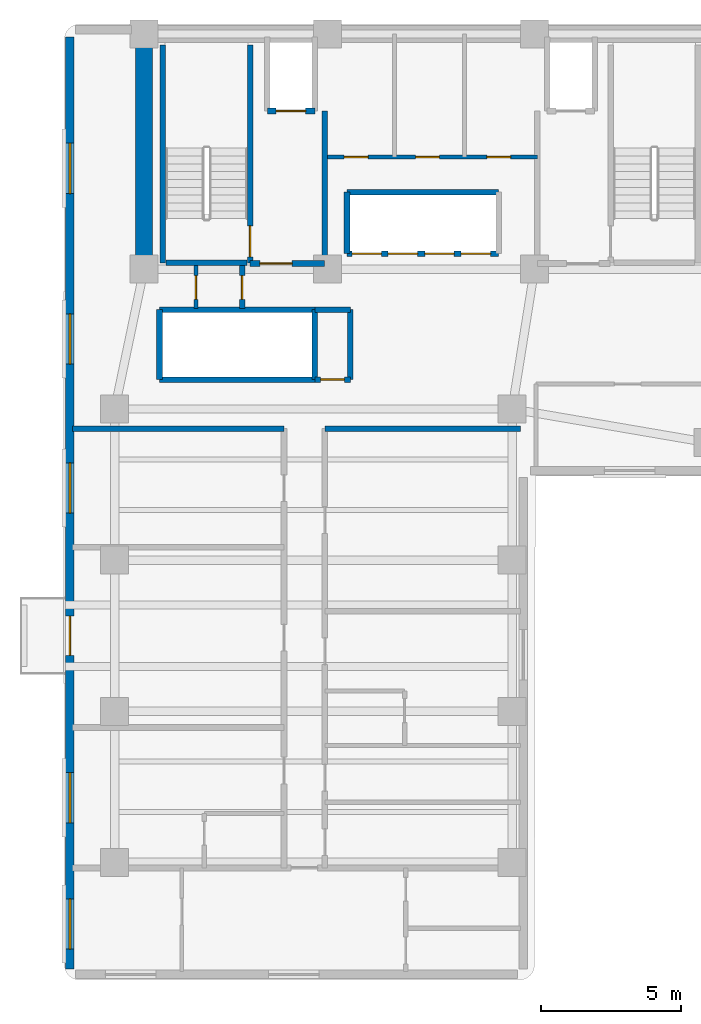
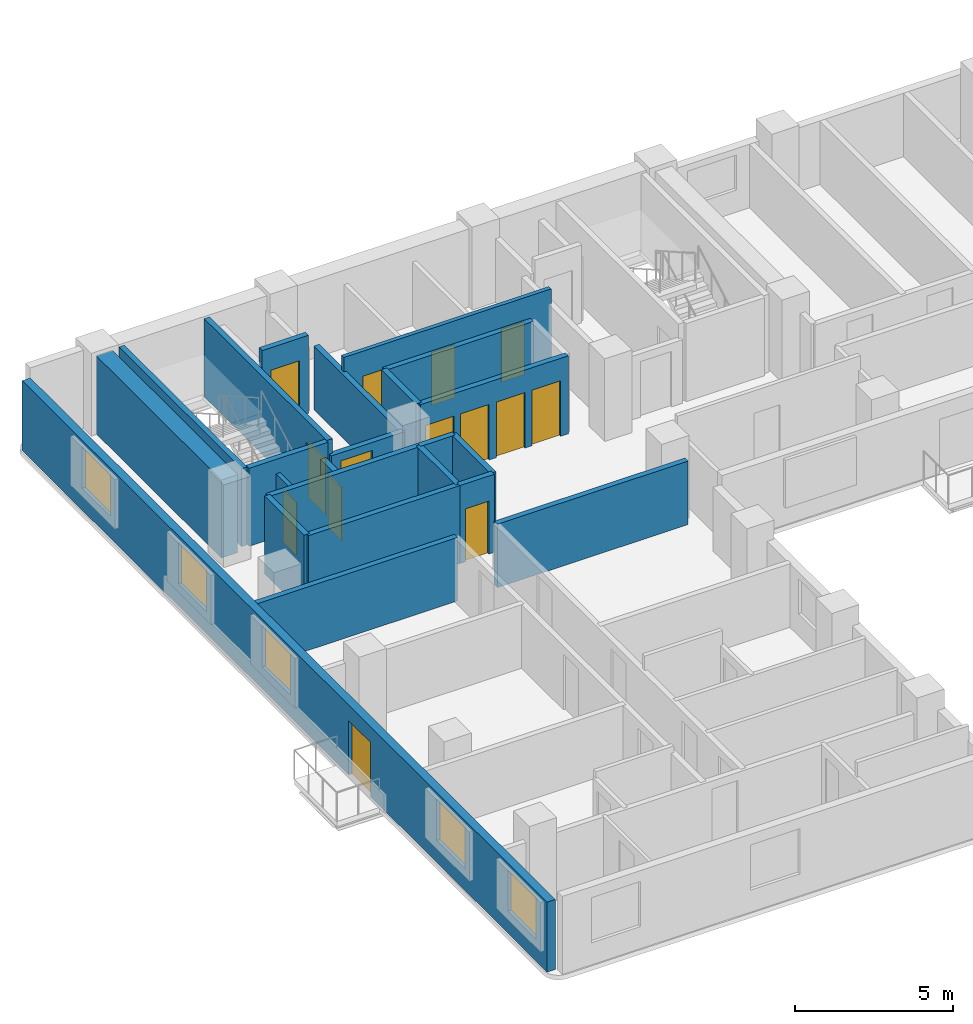
# One storey, part 3 of 7: 23 walls, 14 doors, 5 windows, 19 openings.
"""IFC4 building model written with IfcOpenShell, lengths in metres."""

import ifcopenshell
import ifcopenshell.guid

model = None  # the IFC model being written
_history = None  # IfcOwnerHistory: only IFC2X3 demands one
_inside = {}  # id of a spatial element -> (the spatial element, [elements in it])
_under = {}  # id of a project, library or spatial element -> (it, [spatial elements below it])
_declared = {}  # id of a project -> (the project, [libraries it declares])
_typed = {}  # id of a type object -> (the type object, [elements of that type])
_made_of = {}  # id of a material, layer set ... -> (it, [elements and type objects made of it])


def new_model(schema):
    """Start an empty IFC model of exactly this schema.

    Asked for "IFC4X3", IfcOpenShell would pick the latest addendum, in which some entities
    have other attributes; the version numbers below select the first issue.
    IFC2X3 requires an IfcOwnerHistory on every rooted entity: one is made here for all.
    """
    global model, _history
    if schema == "IFC4X3":
        model = ifcopenshell.file(schema_version=(4, 3, 0, 0))
    else:
        model = ifcopenshell.file(schema=schema)
    _inside.clear()
    _under.clear()
    _declared.clear()
    _typed.clear()
    _made_of.clear()
    _history = None
    if model.schema == "IFC2X3":
        org = make("IfcOrganization", Name="unknown")
        user = make(
            "IfcPersonAndOrganization",
            ThePerson=make("IfcPerson", FamilyName="unknown"),
            TheOrganization=org,
        )
        app = make(
            "IfcApplication",
            ApplicationDeveloper=org,
            Version="unknown",
            ApplicationFullName="unknown",
            ApplicationIdentifier="unknown",
        )
        _history = make(
            "IfcOwnerHistory",
            OwningUser=user,
            OwningApplication=app,
            ChangeAction="ADDED",
            CreationDate=0,
        )
    return model


def make(cls, **values):
    """One entity of the class cls with the attributes given. An attribute that is None is left unset."""
    return model.create_entity(
        cls, **{name: value for name, value in values.items() if value is not None}
    )


def rooted(cls, **values):
    """An entity with a GlobalId (a new one), such as an element, a storey or a relation."""
    return make(cls, GlobalId=ifcopenshell.guid.new(), OwnerHistory=_history, **values)


def si_unit(unit_type, name, prefix=None):
    """IfcSIUnit, for example si_unit("LENGTHUNIT", "METRE", prefix="MILLI")."""
    return make("IfcSIUnit", UnitType=unit_type, Prefix=prefix, Name=name)


def assignment(units):
    """IfcUnitAssignment: the units of a project."""
    return None if units is None else make("IfcUnitAssignment", Units=units)


def point(xyz):
    """IfcCartesianPoint."""
    return None if xyz is None else make("IfcCartesianPoint", Coordinates=xyz)


def direction(xyz):
    """IfcDirection."""
    return None if xyz is None else make("IfcDirection", DirectionRatios=xyz)


def frame(location, z_axis=None, x_axis=None):
    """IfcAxis2Placement3D, a coordinate frame: its origin and axes. An axis left out is left unset."""
    return make(
        "IfcAxis2Placement3D",
        Location=point(location),
        Axis=direction(z_axis),
        RefDirection=direction(x_axis),
    )


def frame_2d(location, x_axis=None):
    """IfcAxis2Placement2D, a coordinate frame in the plane: its origin and x axis."""
    return make(
        "IfcAxis2Placement2D", Location=point(location), RefDirection=direction(x_axis)
    )


def origin():
    """The frame at (0, 0, 0) with its axes left unset."""
    return frame((0.0, 0.0, 0.0))


def place(relative_to, where):
    """IfcLocalPlacement: puts the frame where relative to a parent placement (None: the world)."""
    return make(
        "IfcLocalPlacement", PlacementRelTo=relative_to, RelativePlacement=where
    )


def context(
    kind, dimensions, precision=None, world=None, true_north=None, identifier=None
):
    """IfcGeometricRepresentationContext, for example the 3D "Model" context."""
    return make(
        "IfcGeometricRepresentationContext",
        ContextIdentifier=identifier,
        ContextType=kind,
        CoordinateSpaceDimension=dimensions,
        Precision=precision,
        WorldCoordinateSystem=world,
        TrueNorth=true_north,
    )


def subcontext(parent, identifier, kind, view, scale=None):
    """IfcGeometricRepresentationSubContext, for example "Body" below "Model"."""
    return make(
        "IfcGeometricRepresentationSubContext",
        ContextIdentifier=identifier,
        ContextType=kind,
        ParentContext=parent,
        TargetScale=scale,
        TargetView=view,
    )


def project(units=None, contexts=None):
    """IfcProject with its units and contexts."""
    return rooted(
        "IfcProject",
        Name="project",
        RepresentationContexts=contexts,
        UnitsInContext=assignment(units),
    )


def spatial(cls, under=None, at=None, **own):
    """A site, building, storey or space (cls), placed at a placement, below another one or the project."""
    s = rooted(cls, ObjectPlacement=at, **own)
    if under is not None:
        _under.setdefault(under.id(), (under, []))[1].append(s)
    return s


def profile(cls, at=None, kind="AREA", **sizes):
    """A parametric profile (cls). Its sizes go by their IFC names, for example OverallWidth=200.0."""
    return make(cls, ProfileType=kind, Position=at, **sizes)


def rectangle(**sizes):
    """IfcRectangleProfileDef."""
    return profile("IfcRectangleProfileDef", **sizes)


def extrude(swept, where, along, depth):
    """IfcExtrudedAreaSolid: the profile swept, set in the frame where, extruded along a direction by depth."""
    return make(
        "IfcExtrudedAreaSolid",
        SweptArea=swept,
        Position=where,
        ExtrudedDirection=direction(along),
        Depth=depth,
    )


def shape(context_of_items, identifier, shape_type, items):
    """IfcShapeRepresentation: the items that make up one representation, for example the "Body"."""
    return make(
        "IfcShapeRepresentation",
        ContextOfItems=context_of_items,
        RepresentationIdentifier=identifier,
        RepresentationType=shape_type,
        Items=items,
    )


def material(Name=None, Category=None):
    """IfcMaterial."""
    return make("IfcMaterial", Name=Name, Category=Category)


def layer(
    of_material, thickness, ventilated=None, Name=None, Category=None, Priority=None
):
    """IfcMaterialLayer: one layer of a wall or slab, of a material (None: an air gap)."""
    return make(
        "IfcMaterialLayer",
        Material=of_material,
        LayerThickness=thickness,
        IsVentilated=ventilated,
        Name=Name,
        Category=Category,
        Priority=Priority,
    )


def layer_set(layers, Name=None):
    """IfcMaterialLayerSet."""
    return make("IfcMaterialLayerSet", MaterialLayers=layers, LayerSetName=Name)


def made_of(thing, what):
    """Note that an element or type object is made of a material, layer set ...; save() writes the relation."""
    if what is not None:
        _made_of.setdefault(what.id(), (what, []))[1].append(thing)
    return thing


def type_object(cls, material=None, **own):
    """A type object (cls), such as IfcWallType, which elements share."""
    return made_of(rooted(cls, **own), material)


def element(
    cls,
    number,
    at=None,
    inside=None,
    cuts=None,
    type_object=None,
    material=None,
    context=None,
    identifier="Body",
    shape_type=None,
    held_by="IfcProductDefinitionShape",
    body=None,
    shapes=None,
    **own,
):
    """One element of the class cls, such as IfcWall. Its Tag is "e" and its number.

    at: its placement. inside: the storey or other place that contains it. cuts: it is an
    opening in that element (IfcRelVoidsElement). A single representation is given by context,
    identifier, shape_type and body (its items); several are given by shapes. held_by: the class
    of the entity that holds the representations. save() writes the other relations.
    """
    e = rooted(cls, Tag="e%d" % number, ObjectPlacement=at, **own)
    if body is not None:
        shapes = [shape(context, identifier, shape_type, body)]
    if shapes is not None:
        e.Representation = make(held_by, Representations=shapes)
    if inside is not None:
        _inside.setdefault(inside.id(), (inside, []))[1].append(e)
    if cuts is not None:
        rooted(
            "IfcRelVoidsElement", RelatingBuildingElement=cuts, RelatedOpeningElement=e
        )
    if type_object is not None:
        _typed.setdefault(type_object.id(), (type_object, []))[1].append(e)
    return made_of(e, material)


def fill(opening, filler):
    """IfcRelFillsElement: the door or window that sits in an opening."""
    return rooted(
        "IfcRelFillsElement",
        RelatingOpeningElement=opening,
        RelatedBuildingElement=filler,
    )


def aggregate(whole, parts):
    """IfcRelAggregates: a whole, such as a stair, and the parts it consists of."""
    return rooted("IfcRelAggregates", RelatingObject=whole, RelatedObjects=parts)


def save(model, path):
    """Write the relations noted so far, then the file.

    IfcRelAggregates (storeys below a building ...), IfcRelContainedInSpatialStructure (elements
    in a storey), IfcRelDefinesByType, IfcRelAssociatesMaterial and IfcRelDeclares: one each for
    every whole, place, type object, material and project.
    """
    for whole, parts in _under.values():
        aggregate(whole, parts)
    for where, things in _inside.values():
        rooted(
            "IfcRelContainedInSpatialStructure",
            RelatedElements=things,
            RelatingStructure=where,
        )
    for kind, things in _typed.values():
        rooted("IfcRelDefinesByType", RelatedObjects=things, RelatingType=kind)
    for what, things in _made_of.values():
        rooted("IfcRelAssociatesMaterial", RelatedObjects=things, RelatingMaterial=what)
    for by, libraries in _declared.values():
        rooted("IfcRelDeclares", RelatingContext=by, RelatedDefinitions=libraries)
    model.write(path)


model = new_model("IFC4")

# Units and contexts
model_context = context("Model", 3, precision=1e-05, world=origin(), true_north=direction((0.0, 1.0)))
body_context = subcontext(model_context, "Body", "Model", "MODEL_VIEW")
ifc_project = project(units=[si_unit("LENGTHUNIT", "METRE"), si_unit("AREAUNIT", "SQUARE_METRE"), si_unit("VOLUMEUNIT", "CUBIC_METRE"), si_unit("PLANEANGLEUNIT", "RADIAN"), si_unit("MASSUNIT", "GRAM", prefix="KILO")], contexts=[model_context])

# Site, building, storey
site_placement = place(None, origin())
site = spatial("IfcSite", under=ifc_project, at=site_placement, CompositionType="ELEMENT")
building_placement = place(site_placement, origin())
building = spatial("IfcBuilding", under=site, at=building_placement, Name="Kuzgunbayir Cultural Tower", CompositionType="ELEMENT")
storey_placement = place(building_placement, frame((0.0, 0.0, 133.0)))
storey = spatial("IfcBuildingStorey", under=building, at=storey_placement, Name="L38", CompositionType="ELEMENT", Elevation=133.0)

# Wall
ifc_material_1 = material(Name="Concrete C60/75", Category="concrete")
ifc_layer_1 = layer(ifc_material_1, 0.60009765625)
ifc_layer_set_1 = layer_set([ifc_layer_1], Name="Concrete C60/75")
wall_type_1 = type_object("IfcWallType", Name="WAL-CORE-600", PredefinedType="SHEAR", material=ifc_layer_set_1)
wall_1_placement = place(storey_placement, frame((6.449951171875, 33.800048828125, 0.0), z_axis=(0.0, 0.0, 1.0), x_axis=(0.0, 1.0, 0.0)))
element("IfcWall", 1, at=wall_1_placement, inside=storey, type_object=wall_type_1, Name="L38 T1 Core West Shear Wall", PredefinedType="SHEAR", context=body_context, shape_type="SweptSolid", body=[
    extrude(rectangle(XDim=7.949951171875, YDim=0.60009765625, at=frame_2d((3.97509765625, 0.0))), origin(), (0.0, 0.0, 1.0), 3.02001953125),
])

# Wall, openings, door, windows
ifc_material_2 = material(Name="Anatolian Cream Limestone", Category="masonry")
ifc_layer_2 = layer(ifc_material_2, 0.300048828125)
ifc_layer_set_2 = layer_set([ifc_layer_2], Name="Anatolian Cream Limestone")
wall_type_2 = type_object("IfcWallType", Name="WAL-EXT-STONE-300", PredefinedType="STANDARD", material=ifc_layer_set_2)
wall_2_placement = place(storey_placement, frame((3.800048828125, 42.10009765625, 0.0), z_axis=(0.0, 0.0, 1.0), x_axis=(0.0, -1.0, 0.0)))
wall_2 = element("IfcWall", 2, at=wall_2_placement, inside=storey, type_object=wall_type_2, Name="L38 Wing A West Limestone Wall", PredefinedType="STANDARD", context=body_context, shape_type="SweptSolid", body=[
    extrude(rectangle(XDim=33.300048828125, YDim=0.300048828125, at=frame_2d((16.64990234375, 0.0))), origin(), (0.0, 0.0, 1.0), 2.7099609375),
])
opening_1_placement = place(wall_2_placement, frame((20.699951171875, 0.0, 0.0)))
opening_1 = element("IfcOpeningElement", 3, at=opening_1_placement, cuts=wall_2, Name="Opening BD-15", PredefinedType="OPENING", context=body_context, shape_type="SweptSolid", body=[
    extrude(rectangle(XDim=1.39990234375, YDim=2.10009765625, at=frame_2d((0.699951171875, 1.050048828125))), frame((0.0, 0.16015625, 0.0), z_axis=(0.0, -1.0, 0.0), x_axis=(1.0, 0.0, 0.0)), (0.0, 0.0, 1.0), 0.320068359375),
])
opening_2_placement = place(wall_2_placement, frame((26.2900390625, 0.0, 0.85009765625)))
opening_2 = element("IfcOpeningElement", 4, at=opening_2_placement, cuts=wall_2, Name="Opening WH-18", PredefinedType="OPENING", context=body_context, shape_type="SweptSolid", body=[
    extrude(rectangle(XDim=1.800048828125, YDim=1.610107421875, at=frame_2d((0.89990234375, 0.80517578125))), frame((0.0, 0.16015625, 0.0), z_axis=(0.0, -1.0, 0.0), x_axis=(1.0, 0.0, 0.0)), (0.0, 0.0, 1.0), 0.320068359375),
])
opening_3_placement = place(wall_2_placement, frame((15.219970703125, 0.0, 0.85009765625)))
opening_3 = element("IfcOpeningElement", 5, at=opening_3_placement, cuts=wall_2, Name="Opening WH-18", PredefinedType="OPENING", context=body_context, shape_type="SweptSolid", body=[
    extrude(rectangle(XDim=1.800048828125, YDim=1.610107421875, at=frame_2d((0.89990234375, 0.80517578125))), frame((0.0, 0.16015625, 0.0), z_axis=(0.0, -1.0, 0.0), x_axis=(1.0, 0.0, 0.0)), (0.0, 0.0, 1.0), 0.320068359375),
])
opening_4_placement = place(wall_2_placement, frame((30.800048828125, 0.0, 0.85009765625)))
opening_4 = element("IfcOpeningElement", 6, at=opening_4_placement, cuts=wall_2, Name="Opening WH-18", PredefinedType="OPENING", context=body_context, shape_type="SweptSolid", body=[
    extrude(rectangle(XDim=1.800048828125, YDim=1.610107421875, at=frame_2d((0.89990234375, 0.80517578125))), frame((0.0, 0.16015625, 0.0), z_axis=(0.0, -1.0, 0.0), x_axis=(1.0, 0.0, 0.0)), (0.0, 0.0, 1.0), 0.320068359375),
])
opening_5_placement = place(wall_2_placement, frame((9.89990234375, 0.0, 0.85009765625)))
opening_5 = element("IfcOpeningElement", 7, at=opening_5_placement, cuts=wall_2, Name="Opening WH-18", PredefinedType="OPENING", context=body_context, shape_type="SweptSolid", body=[
    extrude(rectangle(XDim=1.800048828125, YDim=1.610107421875, at=frame_2d((0.89990234375, 0.80517578125))), frame((0.0, 0.16015625, 0.0), z_axis=(0.0, -1.0, 0.0), x_axis=(1.0, 0.0, 0.0)), (0.0, 0.0, 1.0), 0.320068359375),
])
opening_6_placement = place(wall_2_placement, frame((3.800048828125, 0.0, 0.85009765625)))
opening_6 = element("IfcOpeningElement", 8, at=opening_6_placement, cuts=wall_2, Name="Opening WH-18", PredefinedType="OPENING", context=body_context, shape_type="SweptSolid", body=[
    extrude(rectangle(XDim=1.800048828125, YDim=1.610107421875, at=frame_2d((0.89990234375, 0.80517578125))), frame((0.0, 0.16015625, 0.0), z_axis=(0.0, -1.0, 0.0), x_axis=(1.0, 0.0, 0.0)), (0.0, 0.0, 1.0), 0.320068359375),
])
ifc_material_3 = material(Name="Thermally Broken Glazed Aluminium", Category="aluminium")
door_type_1 = type_object("IfcDoorType", Name="DR-BALCONY-150", OperationType="SLIDING_TO_RIGHT", PredefinedType="DOOR", material=ifc_material_3)
door_1_placement = place(opening_1_placement, origin())
door_1 = element("IfcDoor", 9, at=door_1_placement, inside=storey, type_object=door_type_1, Name="L38 West Balcony Sliding Door BAL-L38-WA2", OperationType="SLIDING_TO_RIGHT", OverallHeight=2.10009765625, OverallWidth=1.39990234375, PredefinedType="DOOR", context=body_context, shape_type="SweptSolid", body=[
    extrude(rectangle(XDim=1.39990234375, YDim=2.10009765625, at=frame_2d((0.699951171875, 1.050048828125))), frame((0.0, 0.02490234375, 0.0), z_axis=(0.0, -1.0, 0.0), x_axis=(1.0, 0.0, 0.0)), (0.0, 0.0, 1.0), 0.050048828125),
])
fill(opening_1, door_1)
ifc_material_4 = material(Name="Solar-Control Triple Glazing", Category="glass")
window_type = type_object("IfcWindowType", Name="WIN-HOTEL-18", PartitioningType="SINGLE_PANEL", PredefinedType="WINDOW", material=ifc_material_4)
window_1_placement = place(opening_2_placement, origin())
window_1 = element("IfcWindow", 10, at=window_1_placement, inside=storey, type_object=window_type, Name="L38 WAW Facade Window 2", OverallHeight=1.610107421875, OverallWidth=1.800048828125, PartitioningType="SINGLE_PANEL", PredefinedType="WINDOW", context=body_context, shape_type="SweptSolid", body=[
    extrude(rectangle(XDim=1.800048828125, YDim=1.610107421875, at=frame_2d((0.89990234375, 0.80517578125))), frame((0.0, 0.030029296875, 0.0), z_axis=(0.0, -1.0, 0.0), x_axis=(1.0, 0.0, 0.0)), (0.0, 0.0, 1.0), 0.06005859375),
])
fill(opening_2, window_1)
window_2_placement = place(opening_3_placement, origin())
window_2 = element("IfcWindow", 11, at=window_2_placement, inside=storey, type_object=window_type, Name="L38 WAW Facade Window 3", OverallHeight=1.610107421875, OverallWidth=1.800048828125, PartitioningType="SINGLE_PANEL", PredefinedType="WINDOW", context=body_context, shape_type="SweptSolid", body=[
    extrude(rectangle(XDim=1.800048828125, YDim=1.610107421875, at=frame_2d((0.89990234375, 0.80517578125))), frame((0.0, 0.030029296875, 0.0), z_axis=(0.0, -1.0, 0.0), x_axis=(1.0, 0.0, 0.0)), (0.0, 0.0, 1.0), 0.06005859375),
])
fill(opening_3, window_2)
window_3_placement = place(opening_4_placement, origin())
window_3 = element("IfcWindow", 12, at=window_3_placement, inside=storey, type_object=window_type, Name="L38 WAW Facade Window 10", OverallHeight=1.610107421875, OverallWidth=1.800048828125, PartitioningType="SINGLE_PANEL", PredefinedType="WINDOW", context=body_context, shape_type="SweptSolid", body=[
    extrude(rectangle(XDim=1.800048828125, YDim=1.610107421875, at=frame_2d((0.89990234375, 0.80517578125))), frame((0.0, 0.030029296875, 0.0), z_axis=(0.0, -1.0, 0.0), x_axis=(1.0, 0.0, 0.0)), (0.0, 0.0, 1.0), 0.06005859375),
])
fill(opening_4, window_3)
window_4_placement = place(opening_5_placement, origin())
window_4 = element("IfcWindow", 13, at=window_4_placement, inside=storey, type_object=window_type, Name="L38 WAW Facade Window 11", OverallHeight=1.610107421875, OverallWidth=1.800048828125, PartitioningType="SINGLE_PANEL", PredefinedType="WINDOW", context=body_context, shape_type="SweptSolid", body=[
    extrude(rectangle(XDim=1.800048828125, YDim=1.610107421875, at=frame_2d((0.89990234375, 0.80517578125))), frame((0.0, 0.030029296875, 0.0), z_axis=(0.0, -1.0, 0.0), x_axis=(1.0, 0.0, 0.0)), (0.0, 0.0, 1.0), 0.06005859375),
])
fill(opening_5, window_4)
window_5_placement = place(opening_6_placement, origin())
window_5 = element("IfcWindow", 14, at=window_5_placement, inside=storey, type_object=window_type, Name="L38 WAW Facade Window 12", OverallHeight=1.610107421875, OverallWidth=1.800048828125, PartitioningType="SINGLE_PANEL", PredefinedType="WINDOW", context=body_context, shape_type="SweptSolid", body=[
    extrude(rectangle(XDim=1.800048828125, YDim=1.610107421875, at=frame_2d((0.89990234375, 0.80517578125))), frame((0.0, 0.030029296875, 0.0), z_axis=(0.0, -1.0, 0.0), x_axis=(1.0, 0.0, 0.0)), (0.0, 0.0, 1.0), 0.06005859375),
])
fill(opening_6, window_5)

# Wall, opening, door
ifc_material_5 = material(Name="Acoustic Double-Stud Drywall", Category="gypsum")
ifc_layer_3 = layer(ifc_material_5, 0.14990234375)
ifc_layer_set_3 = layer_set([ifc_layer_3], Name="Acoustic Double-Stud Drywall")
wall_type_3 = type_object("IfcWallType", Name="WAL-PART-ACOUSTIC-150", PredefinedType="PARTITIONING", material=ifc_layer_set_3)
wall_3_placement = place(storey_placement, frame((8.300048828125, 32.39990234375, 0.0), z_axis=(0.0, 0.0, 1.0), x_axis=(0.0, 1.0, 0.0)))
wall_3 = element("IfcWall", 15, at=wall_3_placement, inside=storey, type_object=wall_type_3, Name="L38 West Core Closet Divider", PredefinedType="PARTITIONING", context=body_context, shape_type="SweptSolid", body=[
    extrude(rectangle(XDim=1.52001953125, YDim=0.14990234375, at=frame_2d((0.760009765625, 0.0))), origin(), (0.0, 0.0, 1.0), 2.4599609375),
])
opening_7_placement = place(wall_3_placement, frame((0.320068359375, 0.0, 0.0)))
opening_7 = element("IfcOpeningElement", 16, at=opening_7_placement, cuts=wall_3, Name="Opening DR-RSR-60", PredefinedType="OPENING", context=body_context, shape_type="SweptSolid", body=[
    extrude(rectangle(XDim=0.85009765625, YDim=2.050048828125, at=frame_2d((0.425048828125, 1.02490234375))), frame((0.0, 0.0849609375, 0.0), z_axis=(0.0, -1.0, 0.0), x_axis=(1.0, 0.0, 0.0)), (0.0, 0.0, 1.0), 0.169921875),
])
ifc_material_6 = material(Name="Steel Access Leaf", Category="steel")
door_type_2 = type_object("IfcDoorType", Name="DR-RISER-60", OperationType="NOTDEFINED", PredefinedType="DOOR", material=ifc_material_6)
door_2_placement = place(opening_7_placement, origin())
door_2 = element("IfcDoor", 17, at=door_2_placement, inside=storey, type_object=door_type_2, Name="L38 Sub-Meter Closet Door", OperationType="SINGLE_SWING_RIGHT", OverallHeight=2.050048828125, OverallWidth=0.85009765625, PredefinedType="DOOR", context=body_context, shape_type="SweptSolid", body=[
    extrude(rectangle(XDim=0.85009765625, YDim=2.050048828125, at=frame_2d((0.425048828125, 1.02490234375))), frame((0.0, 0.02490234375, 0.0), z_axis=(0.0, -1.0, 0.0), x_axis=(1.0, 0.0, 0.0)), (0.0, 0.0, 1.0), 0.050048828125),
])
fill(opening_7, door_2)

# Wall, openings, doors
wall_4_placement = place(storey_placement, frame((12.89990234375, 37.800048828125, 0.0), z_axis=(0.0, 0.0, 1.0), x_axis=(1.0, 0.0, 0.0)))
wall_4 = element("IfcWall", 18, at=wall_4_placement, inside=storey, type_object=wall_type_3, Name="L38 Repurposed Core Suite Wall", PredefinedType="PARTITIONING", context=body_context, shape_type="SweptSolid", body=[
    extrude(rectangle(XDim=7.60009765625, YDim=0.14990234375, at=frame_2d((3.800048828125, 0.0))), origin(), (0.0, 0.0, 1.0), 3.02001953125),
])
opening_8_placement = place(wall_4_placement, frame((0.699951171875, 0.0, 0.0)))
opening_8 = element("IfcOpeningElement", 19, at=opening_8_placement, cuts=wall_4, Name="Opening DC-85", PredefinedType="OPENING", context=body_context, shape_type="SweptSolid", body=[
    extrude(rectangle(XDim=0.85009765625, YDim=2.050048828125, at=frame_2d((0.425048828125, 1.02490234375))), frame((0.0, 0.0849609375, 0.0), z_axis=(0.0, -1.0, 0.0), x_axis=(1.0, 0.0, 0.0)), (0.0, 0.0, 1.0), 0.169921875),
])
opening_9_placement = place(wall_4_placement, frame((3.25, 0.0, 0.0)))
opening_9 = element("IfcOpeningElement", 20, at=opening_9_placement, cuts=wall_4, Name="Opening DC-85", PredefinedType="OPENING", context=body_context, shape_type="SweptSolid", body=[
    extrude(rectangle(XDim=0.85009765625, YDim=2.050048828125, at=frame_2d((0.425048828125, 1.02490234375))), frame((0.0, 0.0849609375, 0.0), z_axis=(0.0, -1.0, 0.0), x_axis=(1.0, 0.0, 0.0)), (0.0, 0.0, 1.0), 0.169921875),
])
opening_10_placement = place(wall_4_placement, frame((5.800048828125, 0.0, 0.0)))
opening_10 = element("IfcOpeningElement", 21, at=opening_10_placement, cuts=wall_4, Name="Opening DC-85", PredefinedType="OPENING", context=body_context, shape_type="SweptSolid", body=[
    extrude(rectangle(XDim=0.85009765625, YDim=2.050048828125, at=frame_2d((0.425048828125, 1.02490234375))), frame((0.0, 0.0849609375, 0.0), z_axis=(0.0, -1.0, 0.0), x_axis=(1.0, 0.0, 0.0)), (0.0, 0.0, 1.0), 0.169921875),
])
ifc_material_7 = material(Name="Fire-Rated Veneered Oak Leaf", Category="wood")
door_type_3 = type_object("IfcDoorType", Name="DR-CORE-85", OperationType="NOTDEFINED", PredefinedType="DOOR", material=ifc_material_7)
door_3_placement = place(opening_8_placement, origin())
door_3 = element("IfcDoor", 22, at=door_3_placement, inside=storey, type_object=door_type_3, Name="L38 Phone Booth Door", OperationType="SINGLE_SWING_RIGHT", OverallHeight=2.050048828125, OverallWidth=0.85009765625, PredefinedType="DOOR", context=body_context, shape_type="SweptSolid", body=[
    extrude(rectangle(XDim=0.85009765625, YDim=2.050048828125, at=frame_2d((0.425048828125, 1.02490234375))), frame((0.0, 0.02490234375, 0.0), z_axis=(0.0, -1.0, 0.0), x_axis=(1.0, 0.0, 0.0)), (0.0, 0.0, 1.0), 0.050048828125),
])
fill(opening_8, door_3)
door_4_placement = place(opening_9_placement, origin())
door_4 = element("IfcDoor", 23, at=door_4_placement, inside=storey, type_object=door_type_3, Name="L38 Pantry Alcove Door", OperationType="SINGLE_SWING_LEFT", OverallHeight=2.050048828125, OverallWidth=0.85009765625, PredefinedType="DOOR", context=body_context, shape_type="SweptSolid", body=[
    extrude(rectangle(XDim=0.85009765625, YDim=2.050048828125, at=frame_2d((0.425048828125, 1.02490234375))), frame((0.0, 0.02490234375, 0.0), z_axis=(0.0, -1.0, 0.0), x_axis=(1.0, 0.0, 0.0)), (0.0, 0.0, 1.0), 0.050048828125),
])
fill(opening_9, door_4)
door_5_placement = place(opening_10_placement, origin())
door_5 = element("IfcDoor", 24, at=door_5_placement, inside=storey, type_object=door_type_3, Name="L38 Telecom Closet Door", OperationType="SINGLE_SWING_RIGHT", OverallHeight=2.050048828125, OverallWidth=0.85009765625, PredefinedType="DOOR", context=body_context, shape_type="SweptSolid", body=[
    extrude(rectangle(XDim=0.85009765625, YDim=2.050048828125, at=frame_2d((0.425048828125, 1.02490234375))), frame((0.0, 0.02490234375, 0.0), z_axis=(0.0, -1.0, 0.0), x_axis=(1.0, 0.0, 0.0)), (0.0, 0.0, 1.0), 0.050048828125),
])
fill(opening_10, door_5)

# Wall
ifc_material_8 = material(Name="Aerated Concrete Blockwork", Category="masonry")
ifc_layer_4 = layer(ifc_material_8, 0.199951171875)
ifc_layer_set_4 = layer_set([ifc_layer_4], Name="Aerated Concrete Blockwork")
wall_type_4 = type_object("IfcWallType", Name="WAL-PART-FIRE-200", PredefinedType="PARTITIONING", material=ifc_layer_set_4)
wall_5_placement = place(storey_placement, frame((12.89990234375, 34.0, 0.0), z_axis=(0.0, 0.0, 1.0), x_axis=(0.0, 1.0, 0.0)))
element("IfcWall", 25, at=wall_5_placement, inside=storey, type_object=wall_type_4, Name="L38 FFL-1 Lobby East Fire Wall", PredefinedType="PARTITIONING", context=body_context, shape_type="SweptSolid", body=[
    extrude(rectangle(XDim=5.449951171875, YDim=0.199951171875, at=frame_2d((2.72509765625, 0.0))), origin(), (0.0, 0.0, 1.0), 2.4599609375),
])

# Wall, opening, door
wall_6_placement = place(storey_placement, frame((10.239990234375, 34.0, 0.0), z_axis=(0.0, 0.0, 1.0), x_axis=(1.0, 0.0, 0.0)))
wall_6 = element("IfcWall", 26, at=wall_6_placement, inside=storey, type_object=wall_type_4, Name="L38 FFL-1 Lobby South Fire Wall", PredefinedType="PARTITIONING", context=body_context, shape_type="SweptSolid", body=[
    extrude(rectangle(XDim=2.659912109375, YDim=0.199951171875, at=frame_2d((1.330078125, 0.0))), origin(), (0.0, 0.0, 1.0), 2.4599609375),
])
opening_11_placement = place(wall_6_placement, frame((0.35009765625, 0.0, 0.0)))
opening_11 = element("IfcOpeningElement", 27, at=opening_11_placement, cuts=wall_6, Name="Opening DR-FFL-90", PredefinedType="OPENING", context=body_context, shape_type="SweptSolid", body=[
    extrude(rectangle(XDim=1.14990234375, YDim=2.14990234375, at=frame_2d((0.574951171875, 1.074951171875))), frame((0.0, 0.10986328125, 0.0), z_axis=(0.0, -1.0, 0.0), x_axis=(1.0, 0.0, 0.0)), (0.0, 0.0, 1.0), 0.219970703125),
])
ifc_material_9 = material(Name="Steel S355J2", Category="steel")
door_type_4 = type_object("IfcDoorType", Name="DR-FFL-90", OperationType="NOTDEFINED", PredefinedType="DOOR", material=ifc_material_9)
door_6_placement = place(opening_11_placement, origin())
door_6 = element("IfcDoor", 28, at=door_6_placement, inside=storey, type_object=door_type_4, Name="L38 Firefighting Lobby 1 Door", OperationType="SINGLE_SWING_LEFT", OverallHeight=2.14990234375, OverallWidth=1.14990234375, PredefinedType="DOOR", context=body_context, shape_type="SweptSolid", body=[
    extrude(rectangle(XDim=1.14990234375, YDim=2.14990234375, at=frame_2d((0.574951171875, 1.074951171875))), frame((0.0, 0.02490234375, 0.0), z_axis=(0.0, -1.0, 0.0), x_axis=(1.0, 0.0, 0.0)), (0.0, 0.0, 1.0), 0.050048828125),
])
fill(opening_11, door_6)

wall_7_placement = place(storey_placement, frame((9.949951171875, 32.39990234375, 0.0), z_axis=(0.0, 0.0, 1.0), x_axis=(0.0, 1.0, 0.0)))
wall_7 = element("IfcWall", 29, at=wall_7_placement, inside=storey, type_object=wall_type_4, Name="L38 West Core Service Closet Wall", PredefinedType="PARTITIONING", context=body_context, shape_type="SweptSolid", body=[
    extrude(rectangle(XDim=1.52001953125, YDim=0.199951171875, at=frame_2d((0.760009765625, 0.0))), origin(), (0.0, 0.0, 1.0), 2.4599609375),
])
opening_12_placement = place(wall_7_placement, frame((0.320068359375, 0.0, 0.0)))
opening_12 = element("IfcOpeningElement", 30, at=opening_12_placement, cuts=wall_7, Name="Opening DR-RSR-60", PredefinedType="OPENING", context=body_context, shape_type="SweptSolid", body=[
    extrude(rectangle(XDim=0.85009765625, YDim=2.050048828125, at=frame_2d((0.425048828125, 1.02490234375))), frame((0.0, 0.10986328125, 0.0), z_axis=(0.0, -1.0, 0.0), x_axis=(1.0, 0.0, 0.0)), (0.0, 0.0, 1.0), 0.219970703125),
])
door_7_placement = place(opening_12_placement, origin())
door_7 = element("IfcDoor", 31, at=door_7_placement, inside=storey, type_object=door_type_2, Name="L38 Cleaner Store Door", OperationType="SINGLE_SWING_LEFT", OverallHeight=2.050048828125, OverallWidth=0.85009765625, PredefinedType="DOOR", context=body_context, shape_type="SweptSolid", body=[
    extrude(rectangle(XDim=0.85009765625, YDim=2.050048828125, at=frame_2d((0.425048828125, 1.02490234375))), frame((0.0, 0.02490234375, 0.0), z_axis=(0.0, -1.0, 0.0), x_axis=(1.0, 0.0, 0.0)), (0.0, 0.0, 1.0), 0.050048828125),
])
fill(opening_12, door_7)

wall_8_placement = place(storey_placement, frame((12.550048828125, 29.85009765625, 0.0), z_axis=(0.0, 0.0, 1.0), x_axis=(1.0, 0.0, 0.0)))
wall_8 = element("IfcWall", 32, at=wall_8_placement, inside=storey, type_object=wall_type_4, Name="L38 Center Core Switchgear South Wall", PredefinedType="PARTITIONING", context=body_context, shape_type="SweptSolid", body=[
    extrude(rectangle(XDim=1.27001953125, YDim=0.199951171875, at=frame_2d((0.635009765625, 0.0))), origin(), (0.0, 0.0, 1.0), 3.02001953125),
])
opening_13_placement = place(wall_8_placement, frame((0.2099609375, 0.0, 0.0)))
opening_13 = element("IfcOpeningElement", 33, at=opening_13_placement, cuts=wall_8, Name="Opening DR-RSR-60", PredefinedType="OPENING", context=body_context, shape_type="SweptSolid", body=[
    extrude(rectangle(XDim=0.85009765625, YDim=2.050048828125, at=frame_2d((0.425048828125, 1.02490234375))), frame((0.0, 0.10986328125, 0.0), z_axis=(0.0, -1.0, 0.0), x_axis=(1.0, 0.0, 0.0)), (0.0, 0.0, 1.0), 0.219970703125),
])
door_8_placement = place(opening_13_placement, origin())
door_8 = element("IfcDoor", 34, at=door_8_placement, inside=storey, type_object=door_type_2, Name="L38 Telecom Closet Door", OperationType="SINGLE_SWING_LEFT", OverallHeight=2.050048828125, OverallWidth=0.85009765625, PredefinedType="DOOR", context=body_context, shape_type="SweptSolid", body=[
    extrude(rectangle(XDim=0.85009765625, YDim=2.050048828125, at=frame_2d((0.425048828125, 1.02490234375))), frame((0.0, 0.02490234375, 0.0), z_axis=(0.0, -1.0, 0.0), x_axis=(1.0, 0.0, 0.0)), (0.0, 0.0, 1.0), 0.050048828125),
])
fill(opening_13, door_8)

# Walls
wall_9_placement = place(storey_placement, frame((13.820068359375, 29.85009765625, 0.0), z_axis=(0.0, 0.0, 1.0), x_axis=(0.0, 1.0, 0.0)))
element("IfcWall", 35, at=wall_9_placement, inside=storey, type_object=wall_type_4, Name="L38 Center Core Switchgear East Wall", PredefinedType="PARTITIONING", context=body_context, shape_type="SweptSolid", body=[
    extrude(rectangle(XDim=2.5, YDim=0.199951171875, at=frame_2d((1.25, 0.0))), origin(), (0.0, 0.0, 1.0), 3.02001953125),
])
wall_10_placement = place(storey_placement, frame((12.550048828125, 32.35009765625, 0.0), z_axis=(0.0, 0.0, 1.0), x_axis=(1.0, 0.0, 0.0)))
element("IfcWall", 36, at=wall_10_placement, inside=storey, type_object=wall_type_4, Name="L38 Center Core Switchgear North Wall", PredefinedType="PARTITIONING", context=body_context, shape_type="SweptSolid", body=[
    extrude(rectangle(XDim=1.27001953125, YDim=0.199951171875, at=frame_2d((0.635009765625, 0.0))), origin(), (0.0, 0.0, 1.0), 3.02001953125),
])
wall_11_placement = place(storey_placement, frame((3.89990234375, 28.10009765625, 0.0), z_axis=(0.0, 0.0, 1.0), x_axis=(1.0, 0.0, 0.0)))
element("IfcWall", 37, at=wall_11_placement, inside=storey, type_object=wall_type_4, Name="L38 North West Partition", PredefinedType="PARTITIONING", context=body_context, shape_type="SweptSolid", body=[
    extrude(rectangle(XDim=7.550048828125, YDim=0.199951171875, at=frame_2d((3.77490234375, 0.0))), origin(), (0.0, 0.0, 1.0), 2.4599609375),
])
wall_12_placement = place(storey_placement, frame((12.909912109375, 28.10009765625, 0.0), z_axis=(0.0, 0.0, 1.0), x_axis=(1.0, 0.0, 0.0)))
element("IfcWall", 38, at=wall_12_placement, inside=storey, type_object=wall_type_4, Name="L38 North East Partition", PredefinedType="PARTITIONING", context=body_context, shape_type="SweptSolid", body=[
    extrude(rectangle(XDim=6.989990234375, YDim=0.199951171875, at=frame_2d((3.4951171875, 0.0))), origin(), (0.0, 0.0, 1.0), 2.4599609375),
])
ifc_material_10 = material(Name="Concrete C40/50", Category="concrete")
ifc_layer_5 = layer(ifc_material_10, 0.199951171875)
ifc_layer_set_5 = layer_set([ifc_layer_5], Name="Concrete C40/50")
wall_type_5 = type_object("IfcWallType", Name="WAL-SHAFT-200", PredefinedType="MOVABLE", material=ifc_layer_set_5)
for number, where, z_axis, x_axis, name in (
    (39, (7.0, 29.85009765625, 0.0), (0.0, 0.0, 1.0), (1.0, 0.0, 0.0), "L38 High-Rise Lift Shaft South Wall"),
    (40, (7.0, 32.35009765625, 0.0), (0.0, 0.0, 1.0), (1.0, 0.0, 0.0), "L38 High-Rise Lift Shaft North Wall"),
):
    element("IfcWall", number, at=place(storey_placement, frame(where, z_axis=z_axis, x_axis=x_axis)), inside=storey, type_object=wall_type_5, Name=name, PredefinedType="MOVABLE", context=body_context, shape_type="SweptSolid", body=[
        extrude(rectangle(XDim=5.550048828125, YDim=0.199951171875, at=frame_2d((2.77490234375, 0.0))), origin(), (0.0, 0.0, 1.0), 3.02001953125),
    ])
for number, where, z_axis, x_axis, name in (
    (41, (7.0, 29.85009765625, 0.0), (0.0, 0.0, 1.0), (0.0, 1.0, 0.0), "L38 High-Rise Lift Shaft West Wall"),
    (42, (12.550048828125, 29.85009765625, 0.0), (0.0, 0.0, 1.0), (0.0, 1.0, 0.0), "L38 High-Rise Lift Shaft East Wall"),
):
    element("IfcWall", number, at=place(storey_placement, frame(where, z_axis=z_axis, x_axis=x_axis)), inside=storey, type_object=wall_type_5, Name=name, PredefinedType="MOVABLE", context=body_context, shape_type="SweptSolid", body=[
        extrude(rectangle(XDim=2.5, YDim=0.199951171875, at=frame_2d((1.25, 0.0))), origin(), (0.0, 0.0, 1.0), 3.02001953125),
    ])

# Wall, opening, door
wall_13_placement = place(storey_placement, frame((10.85009765625, 39.449951171875, 0.0), z_axis=(0.0, 0.0, 1.0), x_axis=(1.0, 0.0, 0.0)))
wall_13 = element("IfcWall", 43, at=wall_13_placement, inside=storey, type_object=wall_type_5, Name="L38 FFL-1 Lift Front Wall", PredefinedType="MOVABLE", context=body_context, shape_type="SweptSolid", body=[
    extrude(rectangle(XDim=1.699951171875, YDim=0.199951171875, at=frame_2d((0.85009765625, 0.0))), origin(), (0.0, 0.0, 1.0), 3.02001953125),
])
opening_14_placement = place(wall_13_placement, frame((0.320068359375, 0.0, 0.0)))
opening_14 = element("IfcOpeningElement", 44, at=opening_14_placement, cuts=wall_13, Name="Opening LD", PredefinedType="OPENING", context=body_context, shape_type="SweptSolid", body=[
    extrude(rectangle(XDim=1.050048828125, YDim=2.14990234375, at=frame_2d((0.52490234375, 1.074951171875))), frame((0.0, 0.10986328125, 0.0), z_axis=(0.0, -1.0, 0.0), x_axis=(1.0, 0.0, 0.0)), (0.0, 0.0, 1.0), 0.219970703125),
])
ifc_material_11 = material(Name="Brushed Stainless Steel", Category="steel")
door_type_5 = type_object("IfcDoorType", Name="DR-LIFT-LANDING", OperationType="SLIDING_TO_LEFT", PredefinedType="DOOR", material=ifc_material_11)
door_9_placement = place(opening_14_placement, origin())
door_9 = element("IfcDoor", 45, at=door_9_placement, inside=storey, type_object=door_type_5, Name="L38 Lift FFL-1 Landing Door", OperationType="SLIDING_TO_LEFT", OverallHeight=2.14990234375, OverallWidth=1.050048828125, PredefinedType="DOOR", context=body_context, shape_type="SweptSolid", body=[
    extrude(rectangle(XDim=1.050048828125, YDim=2.14990234375, at=frame_2d((0.52490234375, 1.074951171875))), frame((0.0, 0.02490234375, 0.0), z_axis=(0.0, -1.0, 0.0), x_axis=(1.0, 0.0, 0.0)), (0.0, 0.0, 1.0), 0.050048828125),
])
fill(opening_14, door_9)

# Wall, openings, doors
wall_14_placement = place(storey_placement, frame((13.699951171875, 34.35009765625, 0.0), z_axis=(0.0, 0.0, 1.0), x_axis=(1.0, 0.0, 0.0)))
wall_14 = element("IfcWall", 46, at=wall_14_placement, inside=storey, type_object=wall_type_5, Name="L38 Mid-Rise Lift Front Wall", PredefinedType="MOVABLE", context=body_context, shape_type="SweptSolid", body=[
    extrude(rectangle(XDim=5.420166015625, YDim=0.199951171875, at=frame_2d((2.7099609375, 0.0))), origin(), (0.0, 0.0, 1.0), 3.02001953125),
])
opening_15_placement = place(wall_14_placement, frame((0.179931640625, 0.0, 0.0)))
opening_15 = element("IfcOpeningElement", 47, at=opening_15_placement, cuts=wall_14, Name="Opening LD", PredefinedType="OPENING", context=body_context, shape_type="SweptSolid", body=[
    extrude(rectangle(XDim=1.050048828125, YDim=2.14990234375, at=frame_2d((0.52490234375, 1.074951171875))), frame((0.0, 0.10986328125, 0.0), z_axis=(0.0, -1.0, 0.0), x_axis=(1.0, 0.0, 0.0)), (0.0, 0.0, 1.0), 0.219970703125),
])
opening_16_placement = place(wall_14_placement, frame((1.469970703125, 0.0, 0.0)))
opening_16 = element("IfcOpeningElement", 48, at=opening_16_placement, cuts=wall_14, Name="Opening LD", PredefinedType="OPENING", context=body_context, shape_type="SweptSolid", body=[
    extrude(rectangle(XDim=1.050048828125, YDim=2.14990234375, at=frame_2d((0.52490234375, 1.074951171875))), frame((0.0, 0.10986328125, 0.0), z_axis=(0.0, -1.0, 0.0), x_axis=(1.0, 0.0, 0.0)), (0.0, 0.0, 1.0), 0.219970703125),
])
opening_17_placement = place(wall_14_placement, frame((2.780029296875, 0.0, 0.0)))
opening_17 = element("IfcOpeningElement", 49, at=opening_17_placement, cuts=wall_14, Name="Opening LD", PredefinedType="OPENING", context=body_context, shape_type="SweptSolid", body=[
    extrude(rectangle(XDim=1.050048828125, YDim=2.14990234375, at=frame_2d((0.52490234375, 1.074951171875))), frame((0.0, 0.10986328125, 0.0), z_axis=(0.0, -1.0, 0.0), x_axis=(1.0, 0.0, 0.0)), (0.0, 0.0, 1.0), 0.219970703125),
])
opening_18_placement = place(wall_14_placement, frame((4.080078125, 0.0, 0.0)))
opening_18 = element("IfcOpeningElement", 50, at=opening_18_placement, cuts=wall_14, Name="Opening LD", PredefinedType="OPENING", context=body_context, shape_type="SweptSolid", body=[
    extrude(rectangle(XDim=1.050048828125, YDim=2.14990234375, at=frame_2d((0.52490234375, 1.074951171875))), frame((0.0, 0.10986328125, 0.0), z_axis=(0.0, -1.0, 0.0), x_axis=(1.0, 0.0, 0.0)), (0.0, 0.0, 1.0), 0.219970703125),
])
door_10_placement = place(opening_15_placement, origin())
door_10 = element("IfcDoor", 51, at=door_10_placement, inside=storey, type_object=door_type_5, Name="L38 Lift PM-1 Landing Door", OperationType="SLIDING_TO_LEFT", OverallHeight=2.14990234375, OverallWidth=1.050048828125, PredefinedType="DOOR", context=body_context, shape_type="SweptSolid", body=[
    extrude(rectangle(XDim=1.050048828125, YDim=2.14990234375, at=frame_2d((0.52490234375, 1.074951171875))), frame((0.0, 0.02490234375, 0.0), z_axis=(0.0, -1.0, 0.0), x_axis=(1.0, 0.0, 0.0)), (0.0, 0.0, 1.0), 0.050048828125),
])
fill(opening_15, door_10)
door_11_placement = place(opening_16_placement, origin())
door_11 = element("IfcDoor", 52, at=door_11_placement, inside=storey, type_object=door_type_5, Name="L38 Lift PM-2 Landing Door", OperationType="SLIDING_TO_LEFT", OverallHeight=2.14990234375, OverallWidth=1.050048828125, PredefinedType="DOOR", context=body_context, shape_type="SweptSolid", body=[
    extrude(rectangle(XDim=1.050048828125, YDim=2.14990234375, at=frame_2d((0.52490234375, 1.074951171875))), frame((0.0, 0.02490234375, 0.0), z_axis=(0.0, -1.0, 0.0), x_axis=(1.0, 0.0, 0.0)), (0.0, 0.0, 1.0), 0.050048828125),
])
fill(opening_16, door_11)
door_12_placement = place(opening_17_placement, origin())
door_12 = element("IfcDoor", 53, at=door_12_placement, inside=storey, type_object=door_type_5, Name="L38 Lift PM-3 Landing Door", OperationType="SLIDING_TO_LEFT", OverallHeight=2.14990234375, OverallWidth=1.050048828125, PredefinedType="DOOR", context=body_context, shape_type="SweptSolid", body=[
    extrude(rectangle(XDim=1.050048828125, YDim=2.14990234375, at=frame_2d((0.52490234375, 1.074951171875))), frame((0.0, 0.02490234375, 0.0), z_axis=(0.0, -1.0, 0.0), x_axis=(1.0, 0.0, 0.0)), (0.0, 0.0, 1.0), 0.050048828125),
])
fill(opening_17, door_12)
door_13_placement = place(opening_18_placement, origin())
door_13 = element("IfcDoor", 54, at=door_13_placement, inside=storey, type_object=door_type_5, Name="L38 Lift PM-4 Landing Door", OperationType="SLIDING_TO_LEFT", OverallHeight=2.14990234375, OverallWidth=1.050048828125, PredefinedType="DOOR", context=body_context, shape_type="SweptSolid", body=[
    extrude(rectangle(XDim=1.050048828125, YDim=2.14990234375, at=frame_2d((0.52490234375, 1.074951171875))), frame((0.0, 0.02490234375, 0.0), z_axis=(0.0, -1.0, 0.0), x_axis=(1.0, 0.0, 0.0)), (0.0, 0.0, 1.0), 0.050048828125),
])
fill(opening_18, door_13)

# Walls
wall_15_placement = place(storey_placement, frame((13.699951171875, 36.550048828125, 0.0), z_axis=(0.0, 0.0, 1.0), x_axis=(1.0, 0.0, 0.0)))
element("IfcWall", 55, at=wall_15_placement, inside=storey, type_object=wall_type_5, Name="L38 Mid-Rise Lift Shaft North Wall", PredefinedType="MOVABLE", context=body_context, shape_type="SweptSolid", body=[
    extrude(rectangle(XDim=5.420166015625, YDim=0.199951171875, at=frame_2d((2.7099609375, 0.0))), origin(), (0.0, 0.0, 1.0), 3.02001953125),
])
wall_16_placement = place(storey_placement, frame((13.699951171875, 34.35009765625, 0.0), z_axis=(0.0, 0.0, 1.0), x_axis=(0.0, 1.0, 0.0)))
element("IfcWall", 56, at=wall_16_placement, inside=storey, type_object=wall_type_5, Name="L38 Mid-Rise Lift Shaft West Wall", PredefinedType="MOVABLE", context=body_context, shape_type="SweptSolid", body=[
    extrude(rectangle(XDim=2.199951171875, YDim=0.199951171875, at=frame_2d((1.10009765625, 0.0))), origin(), (0.0, 0.0, 1.0), 3.02001953125),
])
ifc_layer_6 = layer(ifc_material_10, 0.199951171875)
ifc_layer_set_6 = layer_set([ifc_layer_6], Name="Concrete C40/50")
wall_type_6 = type_object("IfcWallType", Name="WAL-STAIR-RC-200", PredefinedType="SHEAR", material=ifc_layer_set_6)
wall_17_placement = place(storey_placement, frame((7.1201171875, 34.02001953125, 0.0), z_axis=(0.0, 0.0, 1.0), x_axis=(0.0, 1.0, 0.0)))
element("IfcWall", 57, at=wall_17_placement, inside=storey, type_object=wall_type_6, Name="L38 Stair ST-1 West Structural Wall", PredefinedType="SHEAR", context=body_context, shape_type="SweptSolid", body=[
    extrude(rectangle(XDim=7.780029296875, YDim=0.199951171875, at=frame_2d((3.89013671875, 0.0))), origin(), (0.0, 0.0, 1.0), 3.02001953125),
])

# Wall, opening, door
wall_18_placement = place(storey_placement, frame((10.239990234375, 34.02001953125, 0.0), z_axis=(0.0, 0.0, 1.0), x_axis=(0.0, 1.0, 0.0)))
wall_18 = element("IfcWall", 58, at=wall_18_placement, inside=storey, type_object=wall_type_6, Name="L38 Stair ST-1 East Structural Wall", PredefinedType="SHEAR", context=body_context, shape_type="SweptSolid", body=[
    extrude(rectangle(XDim=7.780029296875, YDim=0.199951171875, at=frame_2d((3.89013671875, 0.0))), origin(), (0.0, 0.0, 1.0), 3.02001953125),
])
opening_19_placement = place(wall_18_placement, frame((0.219970703125, 0.0, 0.0)))
opening_19 = element("IfcOpeningElement", 59, at=opening_19_placement, cuts=wall_18, Name="Opening DR-STAIR-90", PredefinedType="OPENING", context=body_context, shape_type="SweptSolid", body=[
    extrude(rectangle(XDim=1.10009765625, YDim=2.14990234375, at=frame_2d((0.550048828125, 1.074951171875))), frame((0.0, 0.10986328125, 0.0), z_axis=(0.0, -1.0, 0.0), x_axis=(1.0, 0.0, 0.0)), (0.0, 0.0, 1.0), 0.219970703125),
])
door_type_6 = type_object("IfcDoorType", Name="DR-STAIR-90", OperationType="NOTDEFINED", PredefinedType="DOOR", material=ifc_material_9)
door_14_placement = place(opening_19_placement, origin())
door_14 = element("IfcDoor", 60, at=door_14_placement, inside=storey, type_object=door_type_6, Name="L38 Stair ST-1 Fire Door", OperationType="SINGLE_SWING_RIGHT", OverallHeight=2.14990234375, OverallWidth=1.10009765625, PredefinedType="DOOR", context=body_context, shape_type="SweptSolid", body=[
    extrude(rectangle(XDim=1.10009765625, YDim=2.14990234375, at=frame_2d((0.550048828125, 1.074951171875))), frame((0.0, 0.02490234375, 0.0), z_axis=(0.0, -1.0, 0.0), x_axis=(1.0, 0.0, 0.0)), (0.0, 0.0, 1.0), 0.050048828125),
])
fill(opening_19, door_14)

# Wall
wall_19_placement = place(storey_placement, frame((7.239990234375, 34.02001953125, 0.0), z_axis=(0.0, 0.0, 1.0), x_axis=(1.0, 0.0, 0.0)))
element("IfcWall", 61, at=wall_19_placement, inside=storey, type_object=wall_type_6, Name="L38 Stair ST-1 South Structural Wall", PredefinedType="SHEAR", context=body_context, shape_type="SweptSolid", body=[
    extrude(rectangle(XDim=2.880126953125, YDim=0.199951171875, at=frame_2d((1.43994140625, 0.0))), origin(), (0.0, 0.0, 1.0), 3.02001953125),
])

save(model, "model.ifc")
